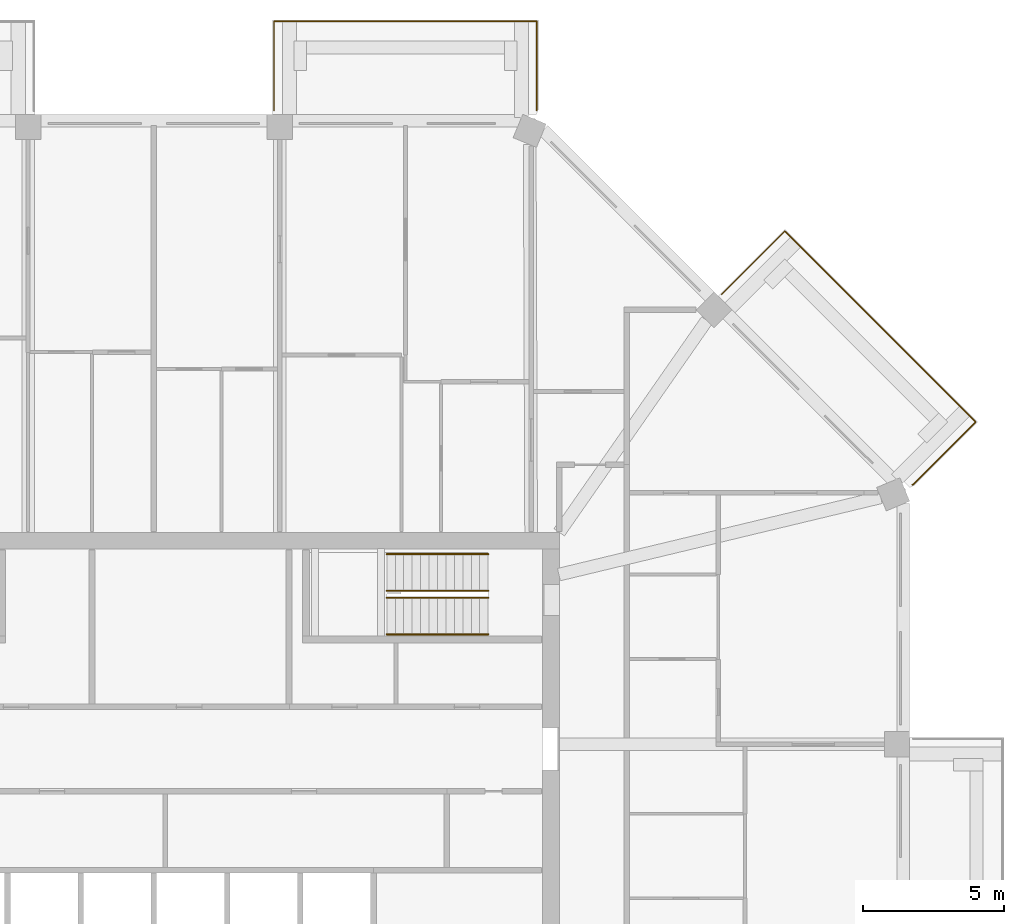
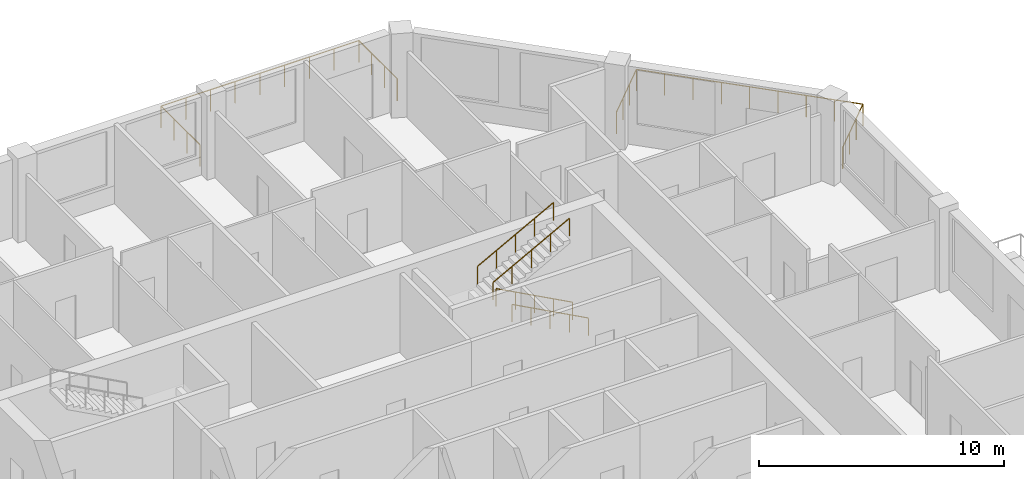
# One storey, part 13 of 13: 6 railings.
"""IFC4 building model written with IfcOpenShell, lengths in metres."""

from ifc_helpers import new_model, si_unit, direction, frame, origin, origin_2d, place, context, subcontext, project, spatial, circle, extrude, material, constituent, constituent_set, type_object, element, save


model = new_model("IFC4")

# Units and contexts
model_context = context("Model", 3, precision=1e-05, world=origin(), true_north=direction((0.0, 1.0)))
body_context = subcontext(model_context, "Body", "Model", "MODEL_VIEW")
ifc_project = project(units=[si_unit("LENGTHUNIT", "METRE"), si_unit("AREAUNIT", "SQUARE_METRE"), si_unit("VOLUMEUNIT", "CUBIC_METRE"), si_unit("PLANEANGLEUNIT", "RADIAN"), si_unit("MASSUNIT", "GRAM", prefix="KILO")], contexts=[model_context])

# Site, building, storey
site_placement = place(None, origin())
site = spatial("IfcSite", under=ifc_project, at=site_placement, CompositionType="ELEMENT")
building_placement = place(site_placement, origin())
building = spatial("IfcBuilding", under=site, at=building_placement, Name="Msitu Wima Residences", CompositionType="ELEMENT")
storey_placement = place(building_placement, frame((0.0, 0.0, 281.10009765625)))
storey = spatial("IfcBuildingStorey", under=building, at=storey_placement, Name="L65", CompositionType="ELEMENT", Elevation=281.10009765625)

# Railings
ifc_material_1 = material(Name="Steel S355", Category="steel")
ifc_constituent_1 = constituent(ifc_material_1, Name="Steel S355")
ifc_material_2 = material(Name="Weathering patina")
ifc_constituent_2 = constituent(ifc_material_2, Name="Weathering patina")
ifc_constituent_set_1 = constituent_set(constituents=[ifc_constituent_1, ifc_constituent_2], Name="Steel S355")
railing_type_1 = type_object("IfcRailingType", Name="Balcony guard GR1100", PredefinedType="GUARDRAIL", material=ifc_constituent_set_1)
railing_1_placement = place(storey_placement, frame((20.171630859375, 20.45458984375, 0.0)))
element("IfcRailing", 1, at=railing_1_placement, inside=storey, type_object=railing_type_1, Name="Balcony guard NE0 L65", PredefinedType="GUARDRAIL", context=body_context, shape_type="SweptSolid", body=[
    extrude(circle(Radius=0.02392578125, at=origin_2d()), frame((0.0, 0.0, 1.076171875), z_axis=(0.707106781187, 0.707106781187, 0.0), x_axis=(-0.707106781187, 0.707106781187, 0.0)), (0.0, 0.0, 1.0), 3.169921875),
    extrude(circle(Radius=0.02392578125, at=origin_2d()), frame((2.241455078125, 2.241455078125, 1.076171875), z_axis=(0.707106781187, -0.707106781187, 0.0), x_axis=(0.707106781187, 0.707106781187, 0.0)), (0.0, 0.0, 1.0), 9.58837890625),
    extrude(circle(Radius=0.02392578125, at=origin_2d()), frame((9.021484375, -4.53857421875, 1.076171875), z_axis=(-0.707106781187, -0.707106781187, 0.0), x_axis=(0.707106781187, -0.707106781187, 0.0)), (0.0, 0.0, 1.0), 3.136474609375),
    extrude(circle(Radius=0.02392578125, at=origin_2d()), frame((6.8037109375, -6.75634765625, 1.076171875), z_axis=(-0.92426142649, -0.38176015442, 0.0), x_axis=(0.38176015442, -0.92426142649, 0.0)), (0.0, 0.0, 1.0), 0.036376953125),
    extrude(circle(Radius=0.02099609375, at=origin_2d()), origin(), (0.0, 0.0, 1.0), 1.052001953125),
    extrude(circle(Radius=0.02099609375, at=origin_2d()), frame((0.7470703125, 0.7470703125, 0.0)), (0.0, 0.0, 1.0), 1.052001953125),
    extrude(circle(Radius=0.02099609375, at=origin_2d()), frame((1.494384765625, 1.494384765625, 0.0)), (0.0, 0.0, 1.0), 1.052001953125),
    extrude(circle(Radius=0.02099609375, at=origin_2d()), frame((2.241455078125, 2.241455078125, 0.0)), (0.0, 0.0, 1.0), 1.052001953125),
    extrude(circle(Radius=0.02099609375, at=origin_2d()), frame((3.0888671875, 1.39404296875, 0.0)), (0.0, 0.0, 1.0), 1.052001953125),
    extrude(circle(Radius=0.02099609375, at=origin_2d()), frame((3.9365234375, 0.54638671875, 0.0)), (0.0, 0.0, 1.0), 1.052001953125),
    extrude(circle(Radius=0.02099609375, at=origin_2d()), frame((4.783935546875, -0.301025390625, 0.0)), (0.0, 0.0, 1.0), 1.052001953125),
    extrude(circle(Radius=0.02099609375, at=origin_2d()), frame((5.63134765625, -1.1484375, 0.0)), (0.0, 0.0, 1.0), 1.052001953125),
    extrude(circle(Radius=0.02099609375, at=origin_2d()), frame((6.47900390625, -1.99609375, 0.0)), (0.0, 0.0, 1.0), 1.052001953125),
    extrude(circle(Radius=0.02099609375, at=origin_2d()), frame((7.326416015625, -2.843505859375, 0.0)), (0.0, 0.0, 1.0), 1.052001953125),
    extrude(circle(Radius=0.02099609375, at=origin_2d()), frame((8.174072265625, -3.691162109375, 0.0)), (0.0, 0.0, 1.0), 1.052001953125),
    extrude(circle(Radius=0.02099609375, at=origin_2d()), frame((9.021484375, -4.53857421875, 0.0)), (0.0, 0.0, 1.0), 1.052001953125),
    extrude(circle(Radius=0.02099609375, at=origin_2d()), frame((8.2822265625, -5.27783203125, 0.0)), (0.0, 0.0, 1.0), 1.052001953125),
    extrude(circle(Radius=0.02099609375, at=origin_2d()), frame((7.54296875, -6.01708984375, 0.0)), (0.0, 0.0, 1.0), 1.052001953125),
    extrude(circle(Radius=0.02099609375, at=origin_2d()), frame((6.8037109375, -6.75634765625, 0.0)), (0.0, 0.0, 1.0), 1.052001953125),
    extrude(circle(Radius=0.02099609375, at=origin_2d()), frame((6.77001953125, -6.770263671875, 0.0)), (0.0, 0.0, 1.0), 1.052001953125),
])
railing_2_placement = place(storey_placement, frame((4.2685546875, 26.97998046875, 0.0)))
element("IfcRailing", 2, at=railing_2_placement, inside=storey, type_object=railing_type_1, Name="Balcony guard N0 L65", PredefinedType="GUARDRAIL", context=body_context, shape_type="SweptSolid", body=[
    extrude(circle(Radius=0.02392578125, at=origin_2d()), frame((0.0, 0.0, 1.076171875), z_axis=(0.0, 1.0, 0.0), x_axis=(-1.0, 0.0, 0.0)), (0.0, 0.0, 1.0), 3.169921875),
    extrude(circle(Radius=0.02392578125, at=origin_2d()), frame((0.0, 3.169921875, 1.076171875), z_axis=(1.0, 0.0, 0.0), x_axis=(0.0, 1.0, 0.0)), (0.0, 0.0, 1.0), 9.33740234375),
    extrude(circle(Radius=0.02392578125, at=origin_2d()), frame((9.33740234375, 3.169921875, 1.076171875), z_axis=(0.0, -1.0, 0.0), x_axis=(1.0, 0.0, 0.0)), (0.0, 0.0, 1.0), 3.136474609375),
    extrude(circle(Radius=0.02392578125, at=origin_2d()), frame((9.33740234375, 0.033447265625, 1.076171875), z_axis=(-0.384136806859, -0.923276184907, 0.0), x_axis=(0.923276184907, -0.384136806859, 0.0)), (0.0, 0.0, 1.0), 0.0361328125),
    extrude(circle(Radius=0.02099609375, at=origin_2d()), origin(), (0.0, 0.0, 1.0), 1.052001953125),
    extrude(circle(Radius=0.02099609375, at=origin_2d()), frame((0.0, 1.056640625, 0.0)), (0.0, 0.0, 1.0), 1.052001953125),
    extrude(circle(Radius=0.02099609375, at=origin_2d()), frame((0.0, 2.11328125, 0.0)), (0.0, 0.0, 1.0), 1.052001953125),
    extrude(circle(Radius=0.02099609375, at=origin_2d()), frame((0.0, 3.169921875, 0.0)), (0.0, 0.0, 1.0), 1.052001953125),
    extrude(circle(Radius=0.02099609375, at=origin_2d()), frame((1.167236328125, 3.169921875, 0.0)), (0.0, 0.0, 1.0), 1.052001953125),
    extrude(circle(Radius=0.02099609375, at=origin_2d()), frame((2.33447265625, 3.169921875, 0.0)), (0.0, 0.0, 1.0), 1.052001953125),
    extrude(circle(Radius=0.02099609375, at=origin_2d()), frame((3.50146484375, 3.169921875, 0.0)), (0.0, 0.0, 1.0), 1.052001953125),
    extrude(circle(Radius=0.02099609375, at=origin_2d()), frame((4.668701171875, 3.169921875, 0.0)), (0.0, 0.0, 1.0), 1.052001953125),
    extrude(circle(Radius=0.02099609375, at=origin_2d()), frame((5.8359375, 3.169921875, 0.0)), (0.0, 0.0, 1.0), 1.052001953125),
    extrude(circle(Radius=0.02099609375, at=origin_2d()), frame((7.0029296875, 3.169921875, 0.0)), (0.0, 0.0, 1.0), 1.052001953125),
    extrude(circle(Radius=0.02099609375, at=origin_2d()), frame((8.170166015625, 3.169921875, 0.0)), (0.0, 0.0, 1.0), 1.052001953125),
    extrude(circle(Radius=0.02099609375, at=origin_2d()), frame((9.33740234375, 3.169921875, 0.0)), (0.0, 0.0, 1.0), 1.052001953125),
    extrude(circle(Radius=0.02099609375, at=origin_2d()), frame((9.33740234375, 2.12451171875, 0.0)), (0.0, 0.0, 1.0), 1.052001953125),
    extrude(circle(Radius=0.02099609375, at=origin_2d()), frame((9.33740234375, 1.078857421875, 0.0)), (0.0, 0.0, 1.0), 1.052001953125),
    extrude(circle(Radius=0.02099609375, at=origin_2d()), frame((9.33740234375, 0.033447265625, 0.0)), (0.0, 0.0, 1.0), 1.052001953125),
    extrude(circle(Radius=0.02099609375, at=origin_2d()), frame((9.323486328125, 0.0, 0.0)), (0.0, 0.0, 1.0), 1.052001953125),
])
ifc_constituent_3 = constituent(ifc_material_1, Name="Steel S355")
ifc_material_3 = material(Name="Black powder coating")
ifc_constituent_4 = constituent(ifc_material_3, Name="Black powder coating")
ifc_constituent_set_2 = constituent_set(constituents=[ifc_constituent_3, ifc_constituent_4], Name="Steel S355")
railing_type_2 = type_object("IfcRailingType", Name="Stair handrail HR1", PredefinedType="HANDRAIL", material=ifc_constituent_set_2)
for number, where, name in (
    (3, (11.875, 8.375, 0.161376953125), "Stair 3 handrail"),
    (4, (11.875, 9.675048828125, 0.161376953125), "Stair 3 handrail"),
):
    element("IfcRailing", number, at=place(storey_placement, frame(where)), inside=storey, type_object=railing_type_2, Name=name, PredefinedType="HANDRAIL", context=body_context, shape_type="SweptSolid", body=[
        extrude(circle(Radius=0.02392578125, at=origin_2d()), frame((0.0, 0.0, 0.8759765625), z_axis=(-0.880474934443, 0.0, 0.474092701714), x_axis=(0.0, -1.0, 0.0)), (0.0, 0.0, 1.0), 4.0888671875),
        extrude(circle(Radius=0.02099609375, at=origin_2d()), origin(), (0.0, 0.0, 1.0), 0.851806640625),
        extrude(circle(Radius=0.02099609375, at=origin_2d()), frame((-0.89990234375, 0.0, 0.484619140625)), (0.0, 0.0, 1.0), 0.851806640625),
        extrude(circle(Radius=0.02099609375, at=origin_2d()), frame((-1.800048828125, 0.0, 0.96923828125)), (0.0, 0.0, 1.0), 0.851806640625),
        extrude(circle(Radius=0.02099609375, at=origin_2d()), frame((-2.7001953125, 0.0, 1.453857421875)), (0.0, 0.0, 1.0), 0.851806640625),
        extrude(circle(Radius=0.02099609375, at=origin_2d()), frame((-3.60009765625, 0.0, 1.9384765625)), (0.0, 0.0, 1.0), 0.851806640625),
    ])
for number, where, name in (
    (5, (8.27490234375, 9.925048828125, 2.261474609375), "Stair 3 handrail"),
    (6, (8.27490234375, 11.22509765625, 2.261474609375), "Stair 3 handrail"),
):
    element("IfcRailing", number, at=place(storey_placement, frame(where)), inside=storey, type_object=railing_type_2, Name=name, PredefinedType="HANDRAIL", context=body_context, shape_type="SweptSolid", body=[
        extrude(circle(Radius=0.02392578125, at=origin_2d()), frame((0.0, 0.0, 0.8759765625), z_axis=(0.880474934443, 0.0, 0.474092701714), x_axis=(0.0, 1.0, 0.0)), (0.0, 0.0, 1.0), 4.0888671875),
        extrude(circle(Radius=0.02099609375, at=origin_2d()), origin(), (0.0, 0.0, 1.0), 0.851806640625),
        extrude(circle(Radius=0.02099609375, at=origin_2d()), frame((0.89990234375, 0.0, 0.484619140625)), (0.0, 0.0, 1.0), 0.851806640625),
        extrude(circle(Radius=0.02099609375, at=origin_2d()), frame((1.800048828125, 0.0, 0.96923828125)), (0.0, 0.0, 1.0), 0.851806640625),
        extrude(circle(Radius=0.02099609375, at=origin_2d()), frame((2.7001953125, 0.0, 1.453857421875)), (0.0, 0.0, 1.0), 0.851806640625),
        extrude(circle(Radius=0.02099609375, at=origin_2d()), frame((3.60009765625, 0.0, 1.9384765625)), (0.0, 0.0, 1.0), 0.851806640625),
    ])

save(model, "model.ifc")
